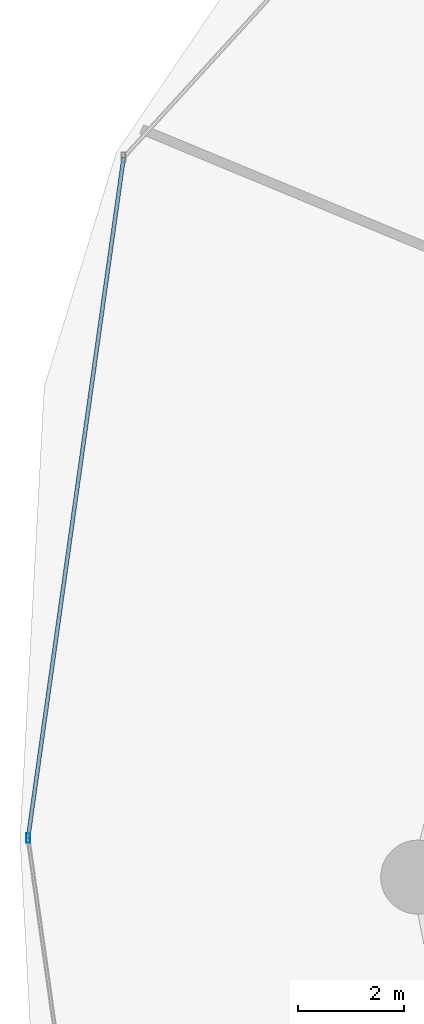
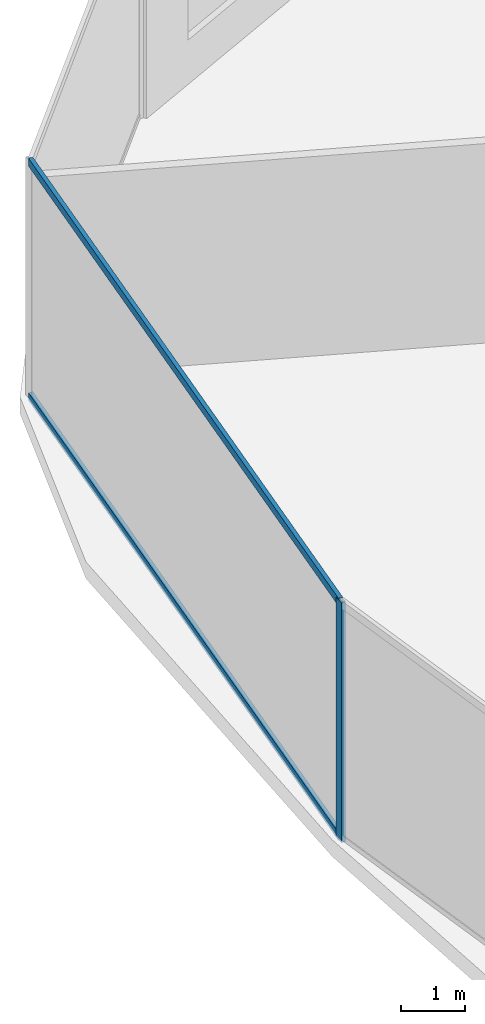
# One storey, part 7 of 32: 3 members, 1 element without a shape of its own.
"""IFC4 building model written with IfcOpenShell, lengths in metres."""

from ifc_helpers import new_model, si_unit, direction, frame, origin, origin_2d, place, context, subcontext, project, spatial, hollow_rectangle, extrude, material, material_profile, profile_set, type_object, element, aggregate, save


model = new_model("IFC4")

# Units and contexts
model_context = context("Model", 3, precision=1e-05, world=origin(), true_north=direction((0.0, 1.0)))
body_context = subcontext(model_context, "Body", "Model", "MODEL_VIEW")
ifc_project = project(units=[si_unit("LENGTHUNIT", "METRE"), si_unit("AREAUNIT", "SQUARE_METRE"), si_unit("VOLUMEUNIT", "CUBIC_METRE"), si_unit("PLANEANGLEUNIT", "RADIAN"), si_unit("MASSUNIT", "GRAM", prefix="KILO")], contexts=[model_context])

# Site, building, storey
site_placement = place(None, origin())
site = spatial("IfcSite", under=ifc_project, at=site_placement, CompositionType="ELEMENT")
building_placement = place(site_placement, origin())
building = spatial("IfcBuilding", under=site, at=building_placement, Name="Vorneva Point Tower", CompositionType="ELEMENT")
storey_placement = place(building_placement, frame((0.0, 0.0, 19.199951171875)))
storey = spatial("IfcBuildingStorey", under=building, at=storey_placement, Name="L04", CompositionType="ELEMENT", Elevation=19.199951171875)

# Curtain wall, members
ifc_material = material(Name="Pale anodised aluminium", Category="aluminium")
curtain_wall_type = type_object("IfcCurtainWallType", Name="CW-POD-SYS", PredefinedType="NOTDEFINED", material=ifc_material)
curtain_wall_placement = place(storey_placement, origin())
curtain_wall = element("IfcCurtainWall", 1, at=curtain_wall_placement, inside=storey, type_object=curtain_wall_type, Name="L04 Unitised Curtain Wall CW-L04-R03", PredefinedType="NOTDEFINED")
ifc_material_profile_1 = material_profile(ifc_material, hollow_rectangle(XDim=0.074951171875, YDim=0.179931640625, WallThickness=0.00390625, at=origin_2d()), Name="AL-MUL 180x75x4")
ifc_profile_set_1 = profile_set([ifc_material_profile_1], Name="Pale anodised aluminium")
member_type_1 = type_object("IfcMemberType", Name="CW-MUL-180", PredefinedType="MULLION", material=ifc_profile_set_1)
member_1_placement = place(storey_placement, frame((3.439208984375, 26.0, -0.0400390625), z_axis=(0.0, 0.0, 1.0), x_axis=(1.0, 0.0, 0.0)))
member_1 = element("IfcMember", 2, at=member_1_placement, type_object=member_type_1, Name="CW-L04-R03 Mullion 03", PredefinedType="MULLION", context=body_context, shape_type="SweptSolid", body=[
    extrude(hollow_rectangle(XDim=0.074951171875, YDim=0.179931640625, WallThickness=0.00390625, at=origin_2d()), origin(), (0.0, 0.0, 1.0), 4.610107421875),
])
ifc_material_profile_2 = material_profile(ifc_material, hollow_rectangle(XDim=0.074951171875, YDim=0.14990234375, WallThickness=0.00390625, at=origin_2d()), Name="AL-TRN 150x75x4")
ifc_profile_set_2 = profile_set([ifc_material_profile_2], Name="Pale anodised aluminium")
member_type_2 = type_object("IfcMemberType", Name="CW-TRN-150", PredefinedType="USERDEFINED", material=ifc_profile_set_2)
member_2_placement = place(storey_placement, frame((5.250244140625, 38.890869140625, 0.02001953125), z_axis=(-0.139123505787, -0.990275037622, 0.0), x_axis=(0.990275037622, -0.139123505787, 0.0)))
member_2 = element("IfcMember", 3, at=member_2_placement, type_object=member_type_2, Name="CW-L04-R03 Transom 02.1", ObjectType="TRANSOM", PredefinedType="USERDEFINED", context=body_context, shape_type="SweptSolid", body=[
    extrude(hollow_rectangle(XDim=0.074951171875, YDim=0.14990234375, WallThickness=0.00390625, at=origin_2d()), origin(), (0.0, 0.0, 1.0), 13.017578125),
])
member_3_placement = place(storey_placement, frame((5.250244140625, 38.890869140625, 4.52001953125), z_axis=(-0.139123505787, -0.990275037622, 0.0), x_axis=(0.990275037622, -0.139123505787, 0.0)))
member_3 = element("IfcMember", 4, at=member_3_placement, type_object=member_type_2, Name="CW-L04-R03 Transom 02.2", ObjectType="TRANSOM", PredefinedType="USERDEFINED", context=body_context, shape_type="SweptSolid", body=[
    extrude(hollow_rectangle(XDim=0.074951171875, YDim=0.14990234375, WallThickness=0.00390625, at=origin_2d()), origin(), (0.0, 0.0, 1.0), 13.017578125),
])
aggregate(curtain_wall, [member_1, member_2, member_3])

save(model, "model.ifc")
